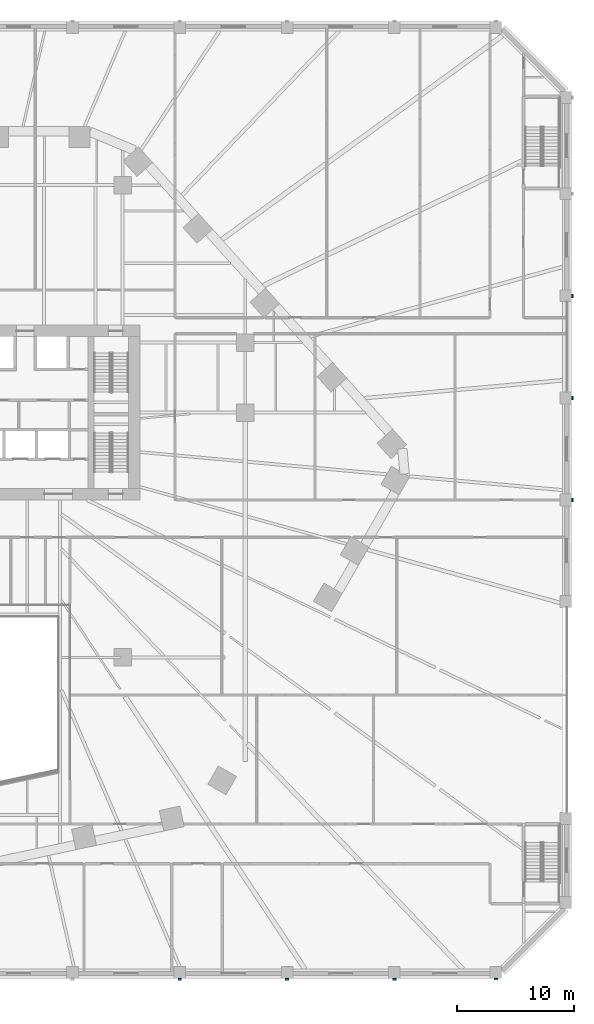
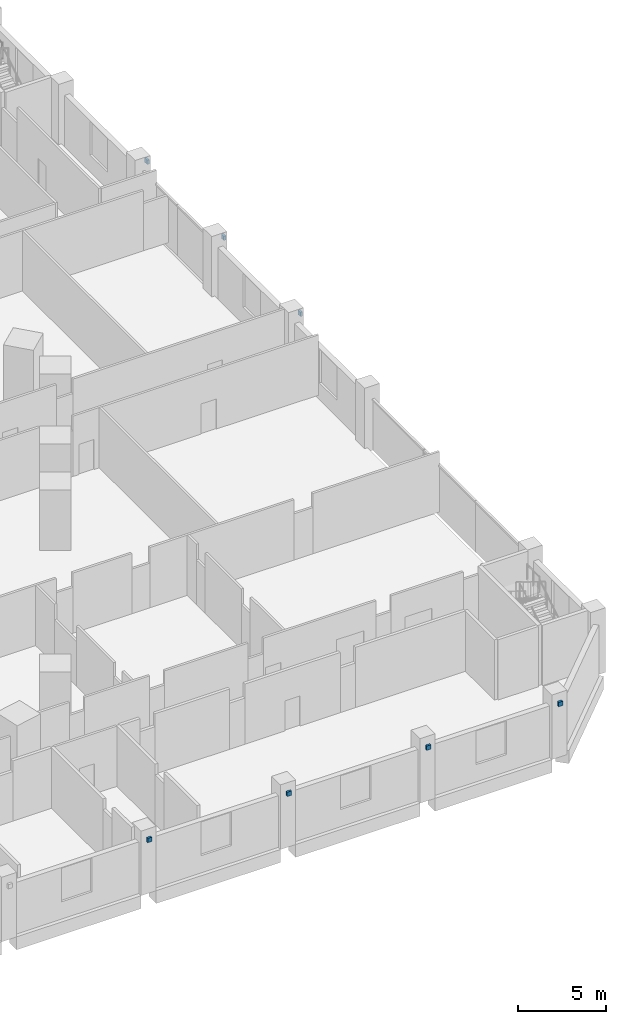
# One storey, part 26 of 33: 7 discrete accessories.
"""IFC4 building model written with IfcOpenShell, lengths in metres."""

from ifc_helpers import new_model, si_unit, direction, frame, origin, origin_2d, place, context, subcontext, project, spatial, rectangle, extrude, material, type_object, element, save


model = new_model("IFC4")

# Units and contexts
model_context = context("Model", 3, precision=1e-05, world=origin(), true_north=direction((0.0, 1.0)))
body_context = subcontext(model_context, "Body", "Model", "MODEL_VIEW")
ifc_project = project(units=[si_unit("LENGTHUNIT", "METRE"), si_unit("AREAUNIT", "SQUARE_METRE"), si_unit("VOLUMEUNIT", "CUBIC_METRE"), si_unit("PLANEANGLEUNIT", "RADIAN"), si_unit("MASSUNIT", "GRAM", prefix="KILO")], contexts=[model_context])

# Site, building, storey
site_placement = place(None, origin())
site = spatial("IfcSite", under=ifc_project, at=site_placement, CompositionType="ELEMENT")
building_placement = place(site_placement, origin())
building = spatial("IfcBuilding", under=site, at=building_placement, Name="Isthmus Gate Tower", CompositionType="ELEMENT")
storey_placement = place(building_placement, frame((0.0, 0.0, 22.5)))
storey = spatial("IfcBuildingStorey", under=building, at=storey_placement, Name="L03", CompositionType="ELEMENT", Elevation=22.5)

# Discrete accessories
ifc_material = material(Name="Structural steel ASTM A572 Gr 50, white paint system", Category="steel")
discrete_accessory_type = type_object("IfcDiscreteAccessoryType", Name="FIN BRACKET 281 X 150 X 300", PredefinedType="BRACKET", material=ifc_material)
for number, where, z_axis, x_axis, name in (
    (1, (18.39990234375, -41.074951171875, 3.35009765625), (0.0, 0.0, 1.0), (0.0, -1.0, 0.0), "FIN BRACKET"),
    (2, (27.60009765625, -41.074951171875, 3.35009765625), (0.0, 0.0, 1.0), (0.0, -1.0, 0.0), "FIN BRACKET"),
    (3, (36.800048828125, -41.074951171875, 3.35009765625), (0.0, 0.0, 1.0), (0.0, -1.0, 0.0), "FIN BRACKET"),
    (4, (45.5, -41.074951171875, 3.35009765625), (0.0, 0.0, 1.0), (0.0, -1.0, 0.0), "FIN BRACKET"),
    (5, (52.074951171875, 0.0, 3.35009765625), (0.0, 0.0, 1.0), (1.0, 0.0, 0.0), "FIN BRACKET"),
    (6, (52.074951171875, 8.75, 3.35009765625), (0.0, 0.0, 1.0), (1.0, 0.0, 0.0), "FIN BRACKET"),
    (7, (52.074951171875, 17.5, 3.35009765625), (0.0, 0.0, 1.0), (1.0, 0.0, 0.0), "FIN BRACKET"),
):
    element("IfcDiscreteAccessory", number, at=place(storey_placement, frame(where, z_axis=z_axis, x_axis=x_axis)), inside=storey, type_object=discrete_accessory_type, Name=name, PredefinedType="BRACKET", context=body_context, shape_type="SweptSolid", body=[
        extrude(rectangle(XDim=0.14990234375, YDim=0.281005859375, at=origin_2d()), origin(), (0.0, 0.0, 1.0), 0.300048828125),
    ])

save(model, "model.ifc")
